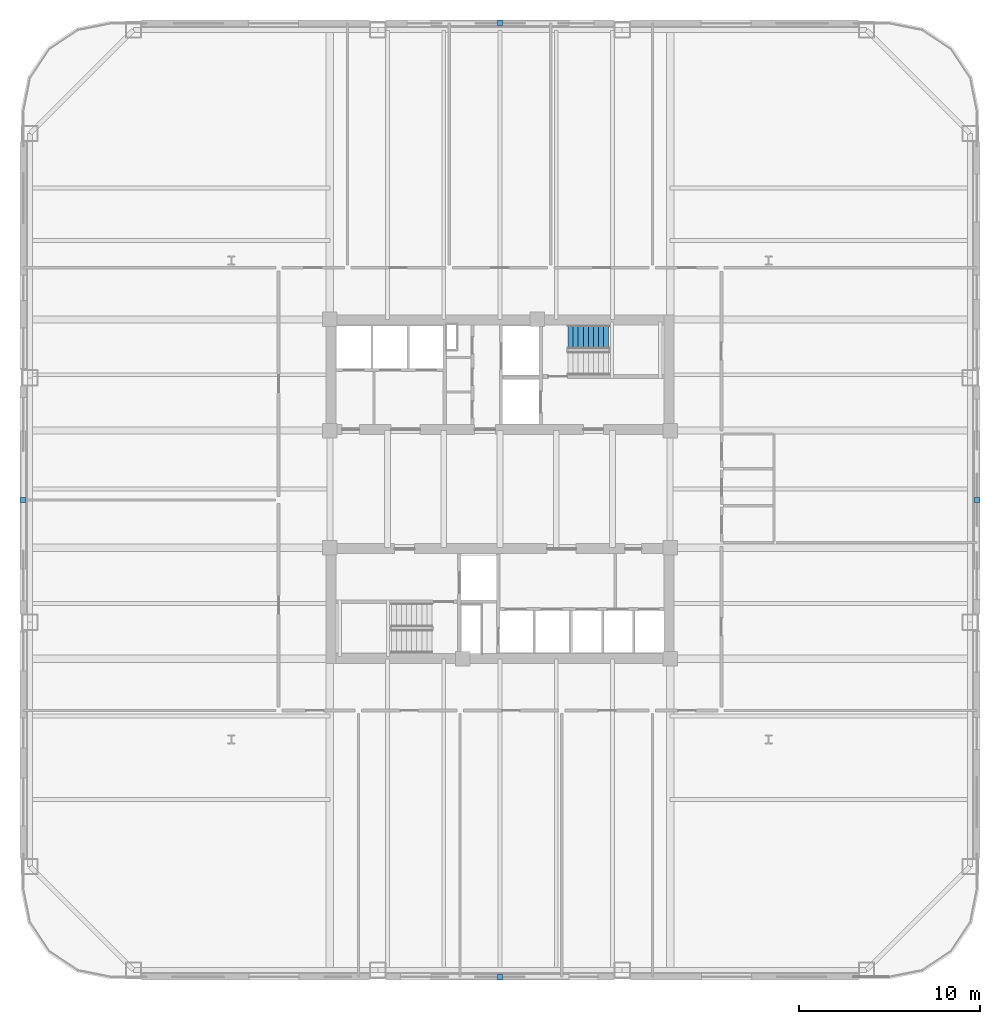
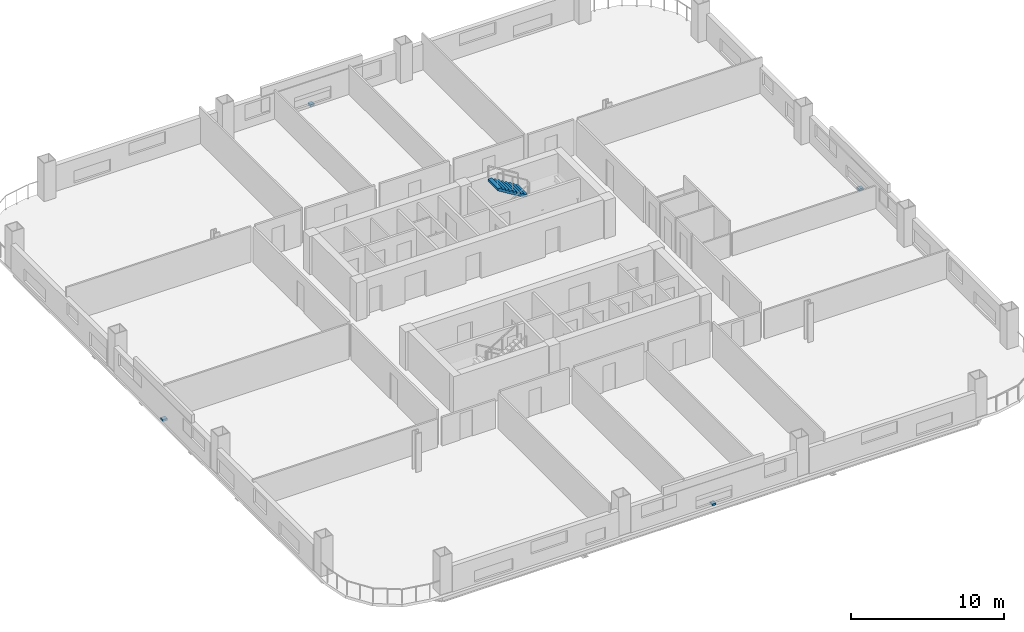
# One storey, part 6 of 12: 4 discrete accessories, 1 stair flight, 1 element without a shape of its own.
"""IFC4 building model written with IfcOpenShell, lengths in metres."""

from ifc_helpers import new_model, si_unit, direction, frame, origin, origin_2d, place, context, subcontext, project, spatial, polyline, rectangle, outline, extrude, material, type_object, element, aggregate, save


model = new_model("IFC4")

# Units and contexts
model_context = context("Model", 3, precision=1e-05, world=origin(), true_north=direction((0.0, 1.0)))
body_context = subcontext(model_context, "Body", "Model", "MODEL_VIEW")
ifc_project = project(units=[si_unit("LENGTHUNIT", "METRE"), si_unit("AREAUNIT", "SQUARE_METRE"), si_unit("VOLUMEUNIT", "CUBIC_METRE"), si_unit("PLANEANGLEUNIT", "RADIAN"), si_unit("MASSUNIT", "GRAM", prefix="KILO")], contexts=[model_context])

# Site, building, storey
site_placement = place(None, origin())
site = spatial("IfcSite", under=ifc_project, at=site_placement, CompositionType="ELEMENT")
building_placement = place(site_placement, origin())
building = spatial("IfcBuilding", under=site, at=building_placement, Name="Qhalaya Broadcast Tower", CompositionType="ELEMENT")
storey_placement = place(building_placement, frame((0.0, 0.0, 35.25)))
storey = spatial("IfcBuildingStorey", under=building, at=storey_placement, Name="L09", CompositionType="ELEMENT", Elevation=35.25)

# Stair, stair flight
ifc_material_1 = material(Name="Concrete C40/50", Category="concrete")
stair_type = type_object("IfcStairType", Name="Protected Dogleg Core Stair 3150", PredefinedType="TWO_STRAIGHT_RUN_STAIR", material=ifc_material_1)
stair_placement = place(storey_placement, origin())
stair = element("IfcStair", 1, at=stair_placement, inside=storey, type_object=stair_type, Name="L09 North Core Exit Stair ST-1", PredefinedType="TWO_STRAIGHT_RUN_STAIR")
ifc_material_2 = material(Name="Precast Concrete C40/50", Category="concrete")
stair_flight_type = type_object("IfcStairFlightType", Name="Precast Concrete Stair Flight 3150", PredefinedType="STRAIGHT", material=ifc_material_2)
stair_flight_placement = place(storey_placement, frame((5.989990234375, 8.97998046875, 1.52490234375), z_axis=(0.0, 0.0, 1.0), x_axis=(-1.0, 0.0, 0.0)))
stair_flight = element("IfcStairFlight", 2, at=stair_flight_placement, type_object=stair_flight_type, Name="ST-1 flight 2", NumberOfRisers=9, NumberOfTreads=8, PredefinedType="STRAIGHT", RiserHeight=0.169444444, TreadLength=0.28, context=body_context, shape_type="SweptSolid", body=[
    extrude(outline(polyline([(0.0, 0.0), (0.0, 0.16943359375), (0.280029296875, 0.16943359375), (0.280029296875, 0.3388671875), (0.56005859375, 0.3388671875), (0.56005859375, 0.50830078125), (0.840087890625, 0.50830078125), (0.840087890625, 0.677734375), (1.1201171875, 0.677734375), (1.1201171875, 0.84716796875), (1.39990234375, 0.84716796875), (1.39990234375, 1.0166015625), (1.679931640625, 1.0166015625), (1.679931640625, 1.18603515625), (1.9599609375, 1.18603515625), (1.9599609375, 1.35546875), (2.239990234375, 1.35546875), (2.239990234375, 1.52490234375), (2.239990234375, 1.180419921875), (0.28955078125, 0.0), (0.0, 0.0)])), frame((0.0, 0.66015625, 0.0), z_axis=(0.0, -1.0, 0.0), x_axis=(1.0, 0.0, 0.0)), (0.0, 0.0, 1.0), 1.320068359375),
])
aggregate(stair, [stair_flight])

# Discrete accessories
ifc_material_3 = material(Name="Structural Steel ASTM A572 Grade 50", Category="steel")
discrete_accessory_type = type_object("IfcDiscreteAccessoryType", Name="Facade Baguette Support Bracket BRK-01", PredefinedType="BRACKET", material=ifc_material_3)
for number, where, z_axis, x_axis, name in (
    (3, (0.0, -26.280029296875, 0.0), (0.0, 0.0, 1.0), (1.0, 0.0, 0.0), "L09 Baguette Support Bracket S"),
    (4, (26.280029296875, 0.0, 0.0), (0.0, 0.0, 1.0), (0.0, 1.0, 0.0), "L09 Baguette Support Bracket E"),
    (5, (0.0, 26.280029296875, 0.0), (0.0, 0.0, 1.0), (-1.0, 0.0, 0.0), "L09 Baguette Support Bracket N"),
    (6, (-26.280029296875, 0.0, 0.0), (0.0, 0.0, 1.0), (0.0, -1.0, 0.0), "L09 Baguette Support Bracket W"),
):
    element("IfcDiscreteAccessory", number, at=place(storey_placement, frame(where, z_axis=z_axis, x_axis=x_axis)), inside=storey, type_object=discrete_accessory_type, Name=name, PredefinedType="BRACKET", context=body_context, shape_type="SweptSolid", body=[
        extrude(rectangle(XDim=0.300048828125, YDim=0.340087890625, at=origin_2d()), origin(), (0.0, 0.0, 1.0), 0.159912109375),
    ])

save(model, "model.ifc")
